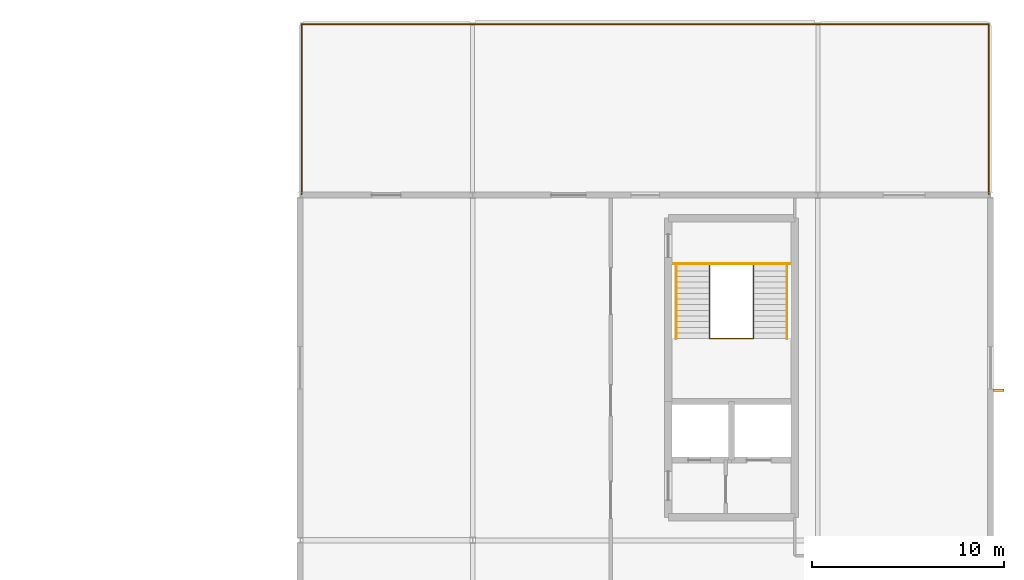
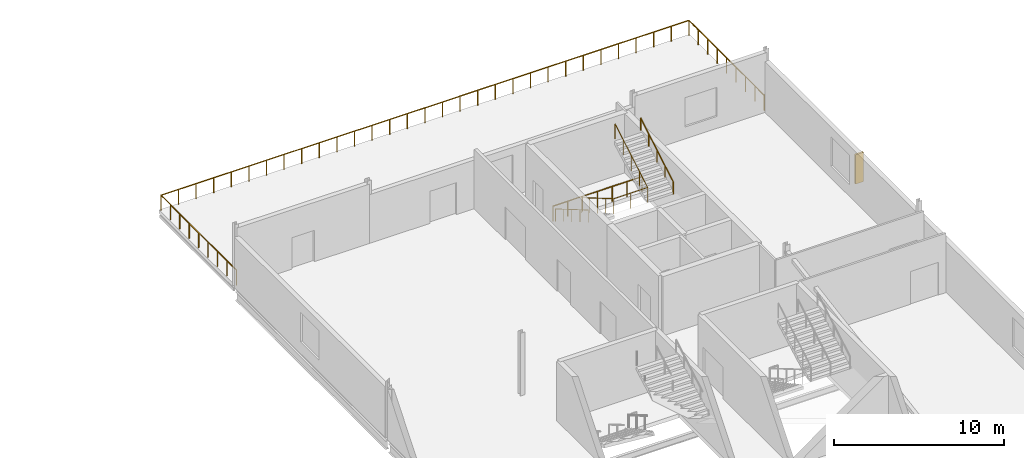
# One storey, part 27 of 28: 5 railings, 1 shading device.
"""IFC4 building model written with IfcOpenShell, lengths in metres."""

from ifc_helpers import new_model, si_unit, direction, frame, origin, origin_2d, place, context, subcontext, project, spatial, rectangle, circle, extrude, material, type_object, element, save


model = new_model("IFC4")

# Units and contexts
model_context = context("Model", 3, precision=1e-05, world=origin(), true_north=direction((0.0, 1.0)))
body_context = subcontext(model_context, "Body", "Model", "MODEL_VIEW")
ifc_project = project(units=[si_unit("LENGTHUNIT", "METRE"), si_unit("AREAUNIT", "SQUARE_METRE"), si_unit("VOLUMEUNIT", "CUBIC_METRE"), si_unit("PLANEANGLEUNIT", "RADIAN"), si_unit("MASSUNIT", "GRAM", prefix="KILO")], contexts=[model_context])

# Site, building, storey
site_placement = place(None, origin())
site = spatial("IfcSite", under=ifc_project, at=site_placement, CompositionType="ELEMENT")
building_placement = place(site_placement, origin())
building = spatial("IfcBuilding", under=site, at=building_placement, Name="Kisiwana Market Hall", CompositionType="ELEMENT")
storey_placement = place(building_placement, frame((0.0, 0.0, 49.5)))
storey = spatial("IfcBuildingStorey", under=building, at=storey_placement, Name="L11", CompositionType="ELEMENT", Elevation=49.5)

# Railings
ifc_material_1 = material(Name="Steel S275", Category="steel")
railing_type_1 = type_object("IfcRailingType", Name="RL-BALUST-1100", PredefinedType="BALUSTRADE", material=ifc_material_1)
railing_1_placement = place(storey_placement, frame((162.080078125, 102.050048828125, 0.0)))
element("IfcRailing", 1, at=railing_1_placement, inside=storey, type_object=railing_type_1, Name="L11 NE Sky Garden Guardrail 1100 RL-1705", PredefinedType="BALUSTRADE", context=body_context, shape_type="SweptSolid", body=[
    extrude(circle(Radius=0.02392578125, at=origin_2d()), frame((0.0, 0.0, 1.076171875), z_axis=(0.0, 1.0, 0.0), x_axis=(-1.0, 0.0, 0.0)), (0.0, 0.0, 1.0), 8.869873046875),
    extrude(circle(Radius=0.02392578125, at=origin_2d()), frame((0.0, 8.869873046875, 1.076171875), z_axis=(1.0, 0.0, 0.0), x_axis=(0.0, 1.0, 0.0)), (0.0, 0.0, 1.0), 35.83984375),
    extrude(circle(Radius=0.02392578125, at=origin_2d()), frame((35.83984375, 8.869873046875, 1.076171875), z_axis=(0.0, -1.0, 0.0), x_axis=(1.0, 0.0, 0.0)), (0.0, 0.0, 1.0), 8.869873046875),
    extrude(circle(Radius=0.02099609375, at=origin_2d()), origin(), (0.0, 0.0, 1.0), 1.052001953125),
    extrude(circle(Radius=0.02099609375, at=origin_2d()), frame((0.0, 1.108642578125, 0.0)), (0.0, 0.0, 1.0), 1.052001953125),
    extrude(circle(Radius=0.02099609375, at=origin_2d()), frame((0.0, 2.217529296875, 0.0)), (0.0, 0.0, 1.0), 1.052001953125),
    extrude(circle(Radius=0.02099609375, at=origin_2d()), frame((0.0, 3.326171875, 0.0)), (0.0, 0.0, 1.0), 1.052001953125),
    extrude(circle(Radius=0.02099609375, at=origin_2d()), frame((0.0, 4.43505859375, 0.0)), (0.0, 0.0, 1.0), 1.052001953125),
    extrude(circle(Radius=0.02099609375, at=origin_2d()), frame((0.0, 5.543701171875, 0.0)), (0.0, 0.0, 1.0), 1.052001953125),
    extrude(circle(Radius=0.02099609375, at=origin_2d()), frame((0.0, 6.65234375, 0.0)), (0.0, 0.0, 1.0), 1.052001953125),
    extrude(circle(Radius=0.02099609375, at=origin_2d()), frame((0.0, 7.76123046875, 0.0)), (0.0, 0.0, 1.0), 1.052001953125),
    extrude(circle(Radius=0.02099609375, at=origin_2d()), frame((0.0, 8.869873046875, 0.0)), (0.0, 0.0, 1.0), 1.052001953125),
    extrude(circle(Radius=0.02099609375, at=origin_2d()), frame((1.194580078125, 8.869873046875, 0.0)), (0.0, 0.0, 1.0), 1.052001953125),
    extrude(circle(Radius=0.02099609375, at=origin_2d()), frame((2.389404296875, 8.869873046875, 0.0)), (0.0, 0.0, 1.0), 1.052001953125),
    extrude(circle(Radius=0.02099609375, at=origin_2d()), frame((3.583984375, 8.869873046875, 0.0)), (0.0, 0.0, 1.0), 1.052001953125),
    extrude(circle(Radius=0.02099609375, at=origin_2d()), frame((4.778564453125, 8.869873046875, 0.0)), (0.0, 0.0, 1.0), 1.052001953125),
    extrude(circle(Radius=0.02099609375, at=origin_2d()), frame((5.973388671875, 8.869873046875, 0.0)), (0.0, 0.0, 1.0), 1.052001953125),
    extrude(circle(Radius=0.02099609375, at=origin_2d()), frame((7.16796875, 8.869873046875, 0.0)), (0.0, 0.0, 1.0), 1.052001953125),
    extrude(circle(Radius=0.02099609375, at=origin_2d()), frame((8.362548828125, 8.869873046875, 0.0)), (0.0, 0.0, 1.0), 1.052001953125),
    extrude(circle(Radius=0.02099609375, at=origin_2d()), frame((9.557373046875, 8.869873046875, 0.0)), (0.0, 0.0, 1.0), 1.052001953125),
    extrude(circle(Radius=0.02099609375, at=origin_2d()), frame((10.751953125, 8.869873046875, 0.0)), (0.0, 0.0, 1.0), 1.052001953125),
    extrude(circle(Radius=0.02099609375, at=origin_2d()), frame((11.946533203125, 8.869873046875, 0.0)), (0.0, 0.0, 1.0), 1.052001953125),
    extrude(circle(Radius=0.02099609375, at=origin_2d()), frame((13.141357421875, 8.869873046875, 0.0)), (0.0, 0.0, 1.0), 1.052001953125),
    extrude(circle(Radius=0.02099609375, at=origin_2d()), frame((14.3359375, 8.869873046875, 0.0)), (0.0, 0.0, 1.0), 1.052001953125),
    extrude(circle(Radius=0.02099609375, at=origin_2d()), frame((15.530517578125, 8.869873046875, 0.0)), (0.0, 0.0, 1.0), 1.052001953125),
    extrude(circle(Radius=0.02099609375, at=origin_2d()), frame((16.725341796875, 8.869873046875, 0.0)), (0.0, 0.0, 1.0), 1.052001953125),
    extrude(circle(Radius=0.02099609375, at=origin_2d()), frame((17.919921875, 8.869873046875, 0.0)), (0.0, 0.0, 1.0), 1.052001953125),
    extrude(circle(Radius=0.02099609375, at=origin_2d()), frame((19.114501953125, 8.869873046875, 0.0)), (0.0, 0.0, 1.0), 1.052001953125),
    extrude(circle(Radius=0.02099609375, at=origin_2d()), frame((20.309326171875, 8.869873046875, 0.0)), (0.0, 0.0, 1.0), 1.052001953125),
    extrude(circle(Radius=0.02099609375, at=origin_2d()), frame((21.50390625, 8.869873046875, 0.0)), (0.0, 0.0, 1.0), 1.052001953125),
    extrude(circle(Radius=0.02099609375, at=origin_2d()), frame((22.698486328125, 8.869873046875, 0.0)), (0.0, 0.0, 1.0), 1.052001953125),
    extrude(circle(Radius=0.02099609375, at=origin_2d()), frame((23.893310546875, 8.869873046875, 0.0)), (0.0, 0.0, 1.0), 1.052001953125),
    extrude(circle(Radius=0.02099609375, at=origin_2d()), frame((25.087890625, 8.869873046875, 0.0)), (0.0, 0.0, 1.0), 1.052001953125),
    extrude(circle(Radius=0.02099609375, at=origin_2d()), frame((26.282470703125, 8.869873046875, 0.0)), (0.0, 0.0, 1.0), 1.052001953125),
    extrude(circle(Radius=0.02099609375, at=origin_2d()), frame((27.477294921875, 8.869873046875, 0.0)), (0.0, 0.0, 1.0), 1.052001953125),
    extrude(circle(Radius=0.02099609375, at=origin_2d()), frame((28.671875, 8.869873046875, 0.0)), (0.0, 0.0, 1.0), 1.052001953125),
    extrude(circle(Radius=0.02099609375, at=origin_2d()), frame((29.866455078125, 8.869873046875, 0.0)), (0.0, 0.0, 1.0), 1.052001953125),
    extrude(circle(Radius=0.02099609375, at=origin_2d()), frame((31.061279296875, 8.869873046875, 0.0)), (0.0, 0.0, 1.0), 1.052001953125),
    extrude(circle(Radius=0.02099609375, at=origin_2d()), frame((32.255859375, 8.869873046875, 0.0)), (0.0, 0.0, 1.0), 1.052001953125),
    extrude(circle(Radius=0.02099609375, at=origin_2d()), frame((33.450439453125, 8.869873046875, 0.0)), (0.0, 0.0, 1.0), 1.052001953125),
    extrude(circle(Radius=0.02099609375, at=origin_2d()), frame((34.645263671875, 8.869873046875, 0.0)), (0.0, 0.0, 1.0), 1.052001953125),
    extrude(circle(Radius=0.02099609375, at=origin_2d()), frame((35.83984375, 8.869873046875, 0.0)), (0.0, 0.0, 1.0), 1.052001953125),
    extrude(circle(Radius=0.02099609375, at=origin_2d()), frame((35.83984375, 7.76123046875, 0.0)), (0.0, 0.0, 1.0), 1.052001953125),
    extrude(circle(Radius=0.02099609375, at=origin_2d()), frame((35.83984375, 6.65234375, 0.0)), (0.0, 0.0, 1.0), 1.052001953125),
    extrude(circle(Radius=0.02099609375, at=origin_2d()), frame((35.83984375, 5.543701171875, 0.0)), (0.0, 0.0, 1.0), 1.052001953125),
    extrude(circle(Radius=0.02099609375, at=origin_2d()), frame((35.83984375, 4.43505859375, 0.0)), (0.0, 0.0, 1.0), 1.052001953125),
    extrude(circle(Radius=0.02099609375, at=origin_2d()), frame((35.83984375, 3.326171875, 0.0)), (0.0, 0.0, 1.0), 1.052001953125),
    extrude(circle(Radius=0.02099609375, at=origin_2d()), frame((35.83984375, 2.217529296875, 0.0)), (0.0, 0.0, 1.0), 1.052001953125),
    extrude(circle(Radius=0.02099609375, at=origin_2d()), frame((35.83984375, 1.108642578125, 0.0)), (0.0, 0.0, 1.0), 1.052001953125),
    extrude(circle(Radius=0.02099609375, at=origin_2d()), frame((35.83984375, 0.0, 0.0)), (0.0, 0.0, 1.0), 1.052001953125),
])
ifc_material_2 = material(Name="Steel S275", Category="steel")
railing_type_2 = type_object("IfcRailingType", Name="RL-GUARD-1100", PredefinedType="GUARDRAIL", material=ifc_material_2)
railing_2_placement = place(storey_placement, frame((183.35009765625, 98.3505859375, 0.0)))
element("IfcRailing", 2, at=railing_2_placement, inside=storey, type_object=railing_type_2, Name="Stair ST-E1-L11 inner-well guardrail (RL-1371)", PredefinedType="GUARDRAIL", context=body_context, shape_type="SweptSolid", body=[
    extrude(circle(Radius=0.02392578125, at=origin_2d()), frame((0.0, 0.0, 1.076171875), z_axis=(0.0, -0.86252362769, 0.506016789916), x_axis=(1.0, 0.0, 0.0)), (0.0, 0.0, 1.0), 4.446533203125),
    extrude(circle(Radius=0.02392578125, at=origin_2d()), frame((0.0, -3.835205078125, 3.326171875), z_axis=(1.0, 0.0, 0.0), x_axis=(0.0, 1.0, 0.0)), (0.0, 0.0, 1.0), 2.2998046875),
    extrude(circle(Radius=0.02392578125, at=origin_2d()), frame((2.2998046875, -3.835205078125, 3.326171875), z_axis=(0.0, 0.86252362769, 0.506016789916), x_axis=(-1.0, 0.0, 0.0)), (0.0, 0.0, 1.0), 4.446533203125),
    extrude(circle(Radius=0.02099609375, at=origin_2d()), origin(), (0.0, 0.0, 1.0), 1.052001953125),
    extrude(circle(Radius=0.02099609375, at=origin_2d()), frame((0.0, -0.958740234375, 0.5625)), (0.0, 0.0, 1.0), 1.052001953125),
    extrude(circle(Radius=0.02099609375, at=origin_2d()), frame((0.0, -1.91748046875, 1.125)), (0.0, 0.0, 1.0), 1.052001953125),
    extrude(circle(Radius=0.02099609375, at=origin_2d()), frame((0.0, -2.87646484375, 1.6875)), (0.0, 0.0, 1.0), 1.052001953125),
    extrude(circle(Radius=0.02099609375, at=origin_2d()), frame((0.0, -3.835205078125, 2.25)), (0.0, 0.0, 1.0), 1.052001953125),
    extrude(circle(Radius=0.02099609375, at=origin_2d()), frame((1.14990234375, -3.835205078125, 2.25)), (0.0, 0.0, 1.0), 1.052001953125),
    extrude(circle(Radius=0.02099609375, at=origin_2d()), frame((2.2998046875, -3.835205078125, 2.25)), (0.0, 0.0, 1.0), 1.052001953125),
    extrude(circle(Radius=0.02099609375, at=origin_2d()), frame((2.2998046875, -2.87646484375, 2.8125)), (0.0, 0.0, 1.0), 1.052001953125),
    extrude(circle(Radius=0.02099609375, at=origin_2d()), frame((2.2998046875, -1.91748046875, 3.375)), (0.0, 0.0, 1.0), 1.052001953125),
    extrude(circle(Radius=0.02099609375, at=origin_2d()), frame((2.2998046875, -0.958740234375, 3.9375)), (0.0, 0.0, 1.0), 1.052001953125),
    extrude(circle(Radius=0.02099609375, at=origin_2d()), frame((2.2998046875, 0.0, 4.5)), (0.0, 0.0, 1.0), 1.052001953125),
])
railing_3_placement = place(storey_placement, frame((181.47998046875, 98.430419921875, 0.0)))
element("IfcRailing", 3, at=railing_3_placement, inside=storey, type_object=railing_type_2, Name="Stair ST-E1-L11 landing edge guardrail (RL-1374)", PredefinedType="GUARDRAIL", context=body_context, shape_type="SweptSolid", body=[
    extrude(circle(Radius=0.02392578125, at=origin_2d()), frame((0.0, 0.0, 1.076171875), z_axis=(1.0, 0.0, 0.0), x_axis=(0.0, 1.0, 0.0)), (0.0, 0.0, 1.0), 6.0400390625),
    extrude(circle(Radius=0.02099609375, at=origin_2d()), origin(), (0.0, 0.0, 1.0), 1.052001953125),
    extrude(circle(Radius=0.02099609375, at=origin_2d()), frame((1.006591796875, 0.0, 0.0)), (0.0, 0.0, 1.0), 1.052001953125),
    extrude(circle(Radius=0.02099609375, at=origin_2d()), frame((2.013427734375, 0.0, 0.0)), (0.0, 0.0, 1.0), 1.052001953125),
    extrude(circle(Radius=0.02099609375, at=origin_2d()), frame((3.02001953125, 0.0, 0.0)), (0.0, 0.0, 1.0), 1.052001953125),
    extrude(circle(Radius=0.02099609375, at=origin_2d()), frame((4.026611328125, 0.0, 0.0)), (0.0, 0.0, 1.0), 1.052001953125),
    extrude(circle(Radius=0.02099609375, at=origin_2d()), frame((5.033447265625, 0.0, 0.0)), (0.0, 0.0, 1.0), 1.052001953125),
    extrude(circle(Radius=0.02099609375, at=origin_2d()), frame((6.0400390625, 0.0, 0.0)), (0.0, 0.0, 1.0), 1.052001953125),
])
ifc_material_3 = material(Name="Steel S275", Category="steel")
railing_type_3 = type_object("IfcRailingType", Name="RL-HAND-900", PredefinedType="HANDRAIL", material=ifc_material_3)
railing_4_placement = place(storey_placement, frame((181.610107421875, 98.3505859375, 0.0)))
element("IfcRailing", 4, at=railing_4_placement, inside=storey, type_object=railing_type_3, Name="Stair ST-E1-L11 flight 1 handrail (RL-1372)", PredefinedType="HANDRAIL", context=body_context, shape_type="SweptSolid", body=[
    extrude(circle(Radius=0.02392578125, at=origin_2d()), frame((0.0, 0.0, 0.8759765625), z_axis=(0.0, -0.86252362769, 0.506016789916), x_axis=(1.0, 0.0, 0.0)), (0.0, 0.0, 1.0), 4.446533203125),
    extrude(circle(Radius=0.02099609375, at=origin_2d()), origin(), (0.0, 0.0, 1.0), 0.851806640625),
    extrude(circle(Radius=0.02099609375, at=origin_2d()), frame((0.0, -0.958740234375, 0.5625)), (0.0, 0.0, 1.0), 0.851806640625),
    extrude(circle(Radius=0.02099609375, at=origin_2d()), frame((0.0, -1.91748046875, 1.125)), (0.0, 0.0, 1.0), 0.851806640625),
    extrude(circle(Radius=0.02099609375, at=origin_2d()), frame((0.0, -2.87646484375, 1.6875)), (0.0, 0.0, 1.0), 0.851806640625),
    extrude(circle(Radius=0.02099609375, at=origin_2d()), frame((0.0, -3.835205078125, 2.25)), (0.0, 0.0, 1.0), 0.851806640625),
])
railing_5_placement = place(storey_placement, frame((187.389892578125, 94.515380859375, 2.25)))
element("IfcRailing", 5, at=railing_5_placement, inside=storey, type_object=railing_type_3, Name="Stair ST-E1-L11 flight 2 handrail (RL-1373)", PredefinedType="HANDRAIL", context=body_context, shape_type="SweptSolid", body=[
    extrude(circle(Radius=0.02392578125, at=origin_2d()), frame((0.0, 0.0, 0.8759765625), z_axis=(0.0, 0.86252362769, 0.506016789916), x_axis=(-1.0, 0.0, 0.0)), (0.0, 0.0, 1.0), 4.446533203125),
    extrude(circle(Radius=0.02099609375, at=origin_2d()), origin(), (0.0, 0.0, 1.0), 0.851806640625),
    extrude(circle(Radius=0.02099609375, at=origin_2d()), frame((0.0, 0.958740234375, 0.5625)), (0.0, 0.0, 1.0), 0.851806640625),
    extrude(circle(Radius=0.02099609375, at=origin_2d()), frame((0.0, 1.91748046875, 1.125)), (0.0, 0.0, 1.0), 0.851806640625),
    extrude(circle(Radius=0.02099609375, at=origin_2d()), frame((0.0, 2.87646484375, 1.6875)), (0.0, 0.0, 1.0), 0.851806640625),
    extrude(circle(Radius=0.02099609375, at=origin_2d()), frame((0.0, 3.835205078125, 2.25)), (0.0, 0.0, 1.0), 0.851806640625),
])

# Shading device
ifc_material_4 = material(Name="Aluminium alloy 6063-T6", Category="aluminium")
shading_device_type = type_object("IfcShadingDeviceType", Name="SHD-SHUTTER-V", PredefinedType="SHUTTER", material=ifc_material_4)
shading_device_placement = place(storey_placement, frame((198.4326171875, 91.820068359375, 0.849853515625), z_axis=(0.0, 0.0, 1.0), x_axis=(0.0, 1.0, 0.0)))
element("IfcShadingDevice", 6, at=shading_device_placement, inside=storey, type_object=shading_device_type, Name="Vertical solar fin SHD-210 SD-209", PredefinedType="SHUTTER", context=body_context, shape_type="SweptSolid", body=[
    extrude(rectangle(XDim=0.1201171875, YDim=0.550048828125, at=origin_2d()), origin(), (0.0, 0.0, 1.0), 2.10009765625),
])

save(model, "model.ifc")
